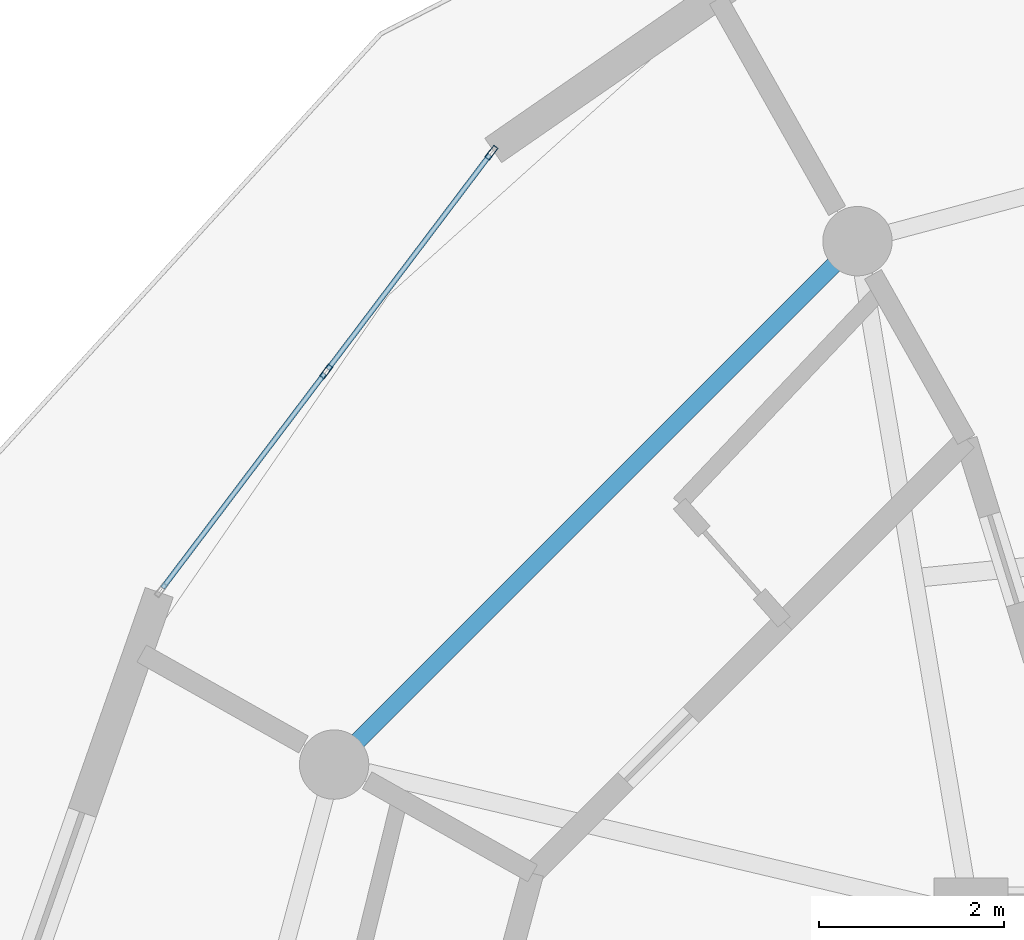
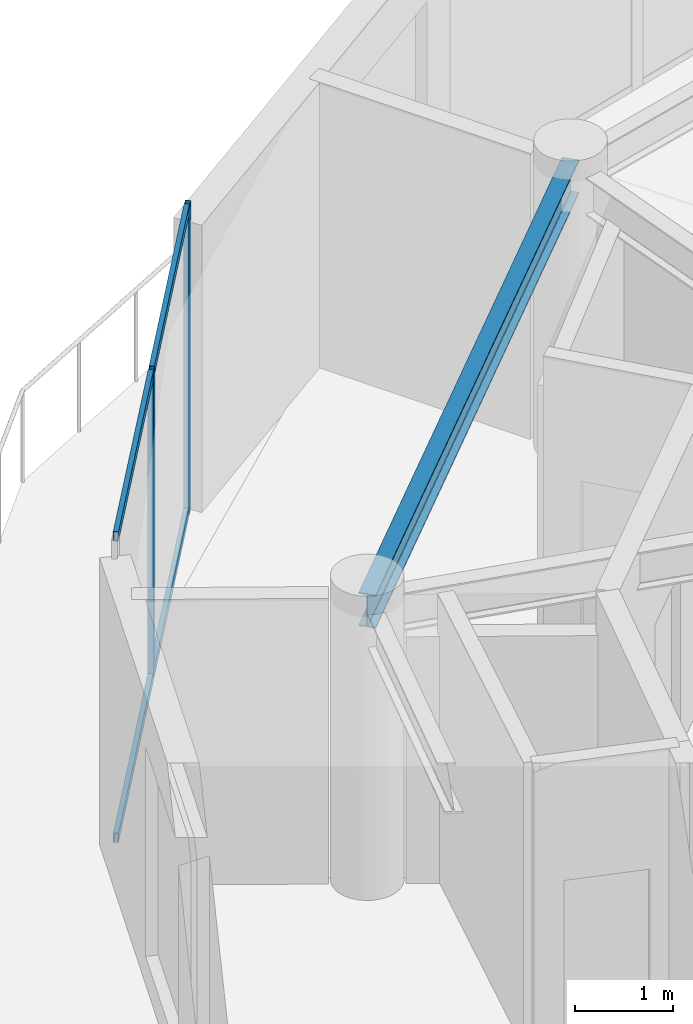
# One storey, part 5 of 16: 6 members, 1 beam, 1 element without a shape of its own.
"""IFC4 building model written with IfcOpenShell, lengths in metres."""

from ifc_helpers import new_model, si_unit, direction, frame, origin, origin_2d, place, context, subcontext, project, spatial, hollow_rectangle, i_section, extrude, source, transform, mapped, material, layer, layer_set, material_profile, profile_set, type_object, element, aggregate, save


model = new_model("IFC4")

# Units and contexts
model_context = context("Model", 3, precision=1e-05, world=origin(), true_north=direction((0.0, 1.0)))
body_context = subcontext(model_context, "Body", "Model", "MODEL_VIEW")
ifc_project = project(units=[si_unit("LENGTHUNIT", "METRE"), si_unit("AREAUNIT", "SQUARE_METRE"), si_unit("VOLUMEUNIT", "CUBIC_METRE"), si_unit("PLANEANGLEUNIT", "RADIAN"), si_unit("MASSUNIT", "GRAM", prefix="KILO")], contexts=[model_context])

# Site, building, storey
site_placement = place(None, origin())
site = spatial("IfcSite", under=ifc_project, at=site_placement, CompositionType="ELEMENT")
building_placement = place(site_placement, origin())
building = spatial("IfcBuilding", under=site, at=building_placement, Name="Solvirekh Grand Hotel", CompositionType="ELEMENT")
storey_placement = place(building_placement, frame((0.0, 0.0, 258.199951171875)))
storey = spatial("IfcBuildingStorey", under=building, at=storey_placement, Name="L67", CompositionType="ELEMENT", Elevation=258.199951171875)

# Beam
ifc_material_1 = material(Name="Steel S355", Category="steel")
ifc_material_profile_1 = material_profile(ifc_material_1, i_section(OverallWidth=0.180908203125, OverallDepth=0.4169921875, WebThickness=0.010009765625, FlangeThickness=0.01611328125, FilletRadius=0.011962890625, at=origin_2d()), Name="W410X85")
ifc_profile_set_1 = profile_set([ifc_material_profile_1], Name="Steel S355")
beam_type = type_object("IfcBeamType", Name="Spandrel_Ring_W410", PredefinedType="SPANDREL", material=ifc_profile_set_1)
beam_placement = place(storey_placement, frame((-7.72509765625, 13.3798828125, 3.361083984375), z_axis=(-0.707106781187, -0.707106781187, 0.0), x_axis=(0.707106781187, -0.707106781187, 0.0)))
element("IfcBeam", 1, at=beam_placement, inside=storey, type_object=beam_type, Name="L67 perimeter spandrel beam 5", PredefinedType="SPANDREL", context=body_context, shape_type="SweptSolid", body=[
    extrude(i_section(OverallWidth=0.180908203125, OverallDepth=0.4169921875, WebThickness=0.010009765625, FlangeThickness=0.01611328125, FilletRadius=0.011962890625, at=origin_2d()), origin(), (0.0, 0.0, 1.0), 7.9970703125),
])

# Curtain wall, members
ifc_material_2 = material(Name="Anodized Bronze Aluminium 6063-T6", Category="aluminium")
ifc_layer = layer(ifc_material_2, 0.159912109375)
ifc_layer_set = layer_set([ifc_layer], Name="Anodized Bronze Aluminium 6063-T6")
curtain_wall_type = type_object("IfcCurtainWallType", Name="CW_Sys4_HighZoneFlushBronzeCW", PredefinedType="NOTDEFINED", material=ifc_layer_set)
curtain_wall_placement = place(storey_placement, origin())
curtain_wall = element("IfcCurtainWall", 2, at=curtain_wall_placement, inside=storey, type_object=curtain_wall_type, Name="L67 unitised bronze-glass curtain wall CW-L67-C13", PredefinedType="NOTDEFINED")
ifc_material_profile_2 = material_profile(ifc_material_2, hollow_rectangle(XDim=0.06005859375, YDim=0.159912109375, WallThickness=0.0048828125, at=origin_2d()), Name="ALU RHS 160X60X5")
ifc_profile_set_2 = profile_set([ifc_material_profile_2], Name="Anodized Bronze Aluminium 6063-T6")
member_type_1 = type_object("IfcMemberType", Name="CWMullion_Sys4", PredefinedType="MULLION", material=ifc_profile_set_2)
shared_shape_1 = source(origin(), body_context, "Body", "SweptSolid", [
    extrude(hollow_rectangle(XDim=0.06005859375, YDim=0.159912109375, WallThickness=0.0048828125, at=origin_2d()), origin(), (0.0, 0.0, 1.0), 3.800048828125),
])
member_1_placement = place(storey_placement, frame((-11.67919921875, 14.336181640625, 0.0), z_axis=(0.0, 0.0, 1.0), x_axis=(0.797849464334, -0.602856726148, 0.0)))
member_1 = element("IfcMember", 3, at=member_1_placement, type_object=member_type_1, Name="U04 mullion 1", PredefinedType="MULLION", context=body_context, shape_type="MappedRepresentation", body=[
    mapped(shared_shape_1, transform((0.0, 0.0, 0.0), x_axis=(1.0, 0.0, 0.0), y_axis=(0.0, 1.0, 0.0), z_axis=(0.0, 0.0, 1.0), scale=1.0)),
])
member_2_placement = place(storey_placement, frame((-13.465087890625, 11.972412109375, 0.0), z_axis=(0.0, 0.0, 1.0), x_axis=(0.797849464334, -0.602856726148, 0.0)))
member_2 = element("IfcMember", 4, at=member_2_placement, type_object=member_type_1, Name="U04 mullion 2", PredefinedType="MULLION", context=body_context, shape_type="MappedRepresentation", body=[
    mapped(shared_shape_1, transform((0.0, 0.0, 0.0), x_axis=(1.0, 0.0, 0.0), y_axis=(0.0, 1.0, 0.0), z_axis=(0.0, 0.0, 1.0), scale=1.0)),
])
ifc_material_profile_3 = material_profile(ifc_material_2, hollow_rectangle(XDim=0.054931640625, YDim=0.1201171875, WallThickness=0.00390625, at=origin_2d()), Name="ALU RHS 120X55X4")
ifc_profile_set_3 = profile_set([ifc_material_profile_3], Name="Anodized Bronze Aluminium 6063-T6")
member_type_2 = type_object("IfcMemberType", Name="CWTransom_Sys4", PredefinedType="USERDEFINED", material=ifc_profile_set_3)
shared_shape_2 = source(origin(), body_context, "Body", "SweptSolid", [
    extrude(hollow_rectangle(XDim=0.054931640625, YDim=0.1201171875, WallThickness=0.00390625, at=origin_2d()), origin(), (0.0, 0.0, 1.0), 2.90234375),
])
member_3_placement = place(storey_placement, frame((-11.697265625, 14.31201171875, 0.027587890625), z_axis=(-0.602862837602, -0.79784484647, 0.0), x_axis=(0.79784484647, -0.602862837602, 0.0)))
member_3 = element("IfcMember", 5, at=member_3_placement, type_object=member_type_2, Name="U04 transom 1.1", ObjectType="TRANSOM", PredefinedType="USERDEFINED", context=body_context, shape_type="MappedRepresentation", body=[
    mapped(shared_shape_2, transform((0.0, 0.0, 0.0), x_axis=(1.0, 0.0, 0.0), y_axis=(0.0, 1.0, 0.0), z_axis=(0.0, 0.0, 1.0), scale=1.0)),
])
member_4_placement = place(storey_placement, frame((-11.697265625, 14.31201171875, 3.7724609375), z_axis=(-0.602862837602, -0.79784484647, 0.0), x_axis=(0.79784484647, -0.602862837602, 0.0)))
member_4 = element("IfcMember", 6, at=member_4_placement, type_object=member_type_2, Name="U04 transom 1.2", ObjectType="TRANSOM", PredefinedType="USERDEFINED", context=body_context, shape_type="MappedRepresentation", body=[
    mapped(shared_shape_2, transform((0.0, 0.0, 0.0), x_axis=(1.0, 0.0, 0.0), y_axis=(0.0, 1.0, 0.0), z_axis=(0.0, 0.0, 1.0), scale=1.0)),
])
member_5_placement = place(storey_placement, frame((-13.483154296875, 11.948486328125, 0.027587890625), z_axis=(-0.602862837602, -0.79784484647, 0.0), x_axis=(0.79784484647, -0.602862837602, 0.0)))
member_5 = element("IfcMember", 7, at=member_5_placement, type_object=member_type_2, Name="U04 transom 2.1", ObjectType="TRANSOM", PredefinedType="USERDEFINED", context=body_context, shape_type="MappedRepresentation", body=[
    mapped(shared_shape_2, transform((0.0, 0.0, 0.0), x_axis=(1.0, 0.0, 0.0), y_axis=(0.0, 1.0, 0.0), z_axis=(0.0, 0.0, 1.0), scale=1.0)),
])
member_6_placement = place(storey_placement, frame((-13.483154296875, 11.948486328125, 3.7724609375), z_axis=(-0.602862837602, -0.79784484647, 0.0), x_axis=(0.79784484647, -0.602862837602, 0.0)))
member_6 = element("IfcMember", 8, at=member_6_placement, type_object=member_type_2, Name="U04 transom 2.2", ObjectType="TRANSOM", PredefinedType="USERDEFINED", context=body_context, shape_type="MappedRepresentation", body=[
    mapped(shared_shape_2, transform((0.0, 0.0, 0.0), x_axis=(1.0, 0.0, 0.0), y_axis=(0.0, 1.0, 0.0), z_axis=(0.0, 0.0, 1.0), scale=1.0)),
])
aggregate(curtain_wall, [member_1, member_2, member_3, member_4, member_5, member_6])

save(model, "model.ifc")
